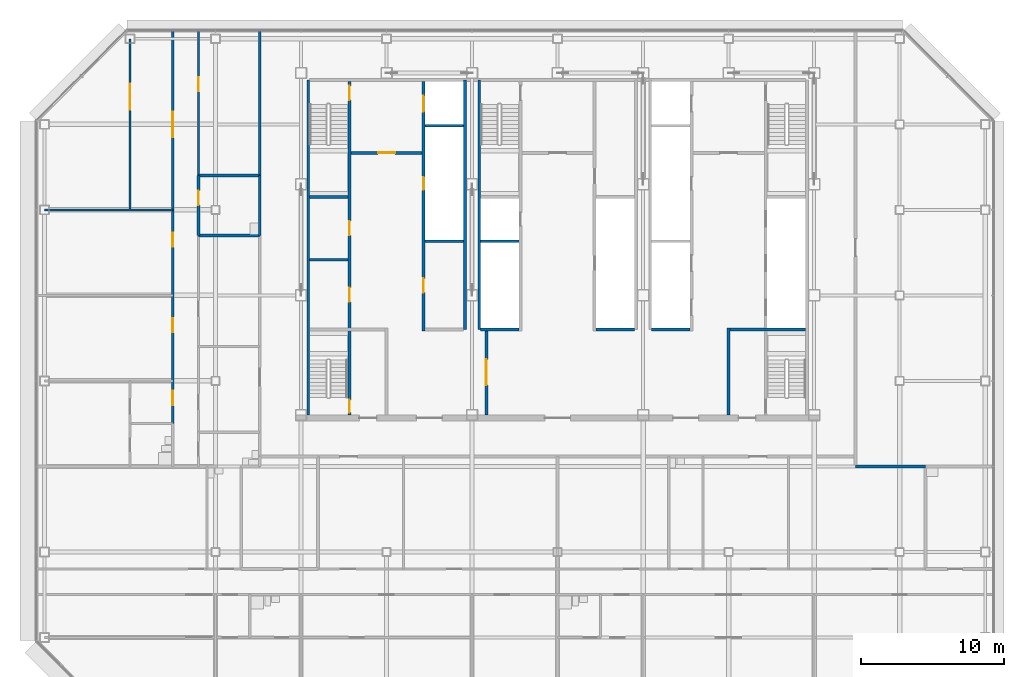
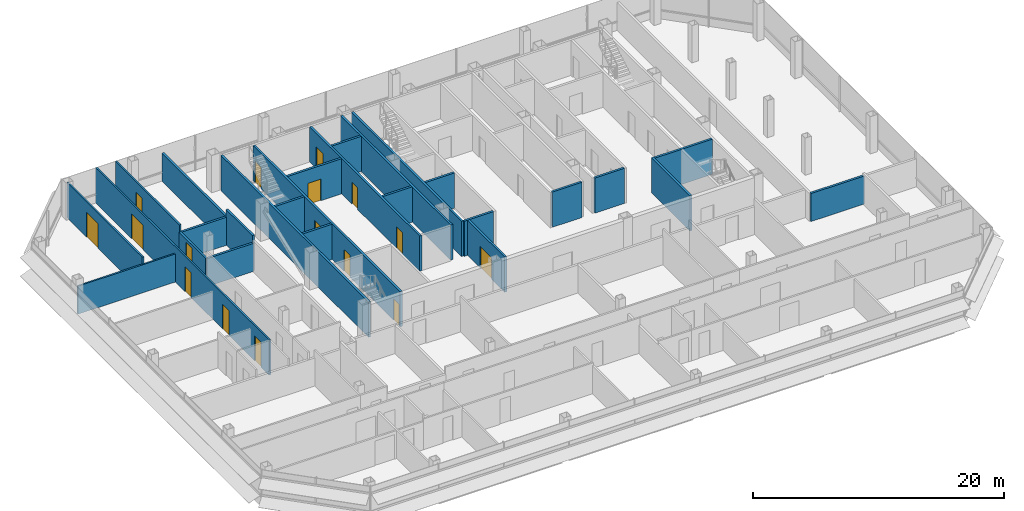
# One storey, part 22 of 26: 27 walls, 16 doors, 16 openings.
"""IFC4 building model written with IfcOpenShell, lengths in metres."""

from ifc_helpers import new_model, si_unit, direction, frame, frame_2d, origin, place, context, subcontext, project, spatial, rectangle, extrude, material, layer, layer_set, type_object, element, fill, save


model = new_model("IFC4")

# Units and contexts
model_context = context("Model", 3, precision=1e-05, world=origin(), true_north=direction((0.0, 1.0)))
body_context = subcontext(model_context, "Body", "Model", "MODEL_VIEW")
ifc_project = project(units=[si_unit("LENGTHUNIT", "METRE"), si_unit("AREAUNIT", "SQUARE_METRE"), si_unit("VOLUMEUNIT", "CUBIC_METRE"), si_unit("PLANEANGLEUNIT", "RADIAN"), si_unit("MASSUNIT", "GRAM", prefix="KILO")], contexts=[model_context])

# Site, building, storey
site_placement = place(None, origin())
site = spatial("IfcSite", under=ifc_project, at=site_placement, CompositionType="ELEMENT")
building_placement = place(site_placement, origin())
building = spatial("IfcBuilding", under=site, at=building_placement, Name="Sorahane Residences", CompositionType="ELEMENT")
storey_placement = place(building_placement, frame((0.0, 0.0, 215.39990234375)))
storey = spatial("IfcBuildingStorey", under=building, at=storey_placement, Name="L50", CompositionType="ELEMENT", Elevation=215.39990234375)

# Walls
ifc_material_1 = material(Name="Concrete C30", Category="concrete")
ifc_layer_1 = layer(ifc_material_1, 0.199951171875)
ifc_layer_set_1 = layer_set([ifc_layer_1], Name="Core face wall 200 EI 180")
wall_type_1 = type_object("IfcWallType", Name="Core face wall 200 EI 180", PredefinedType="SOLIDWALL", material=ifc_layer_set_1)
wall_1_placement = place(storey_placement, frame((6.5, 21.60009765625, 0.0), z_axis=(0.0, 0.0, 1.0), x_axis=(0.0, 1.0, 0.0)))
element("IfcWall", 1, at=wall_1_placement, inside=storey, type_object=wall_type_1, Name="L50 core face wall", PredefinedType="SOLIDWALL", context=body_context, shape_type="SweptSolid", body=[
    extrude(rectangle(XDim=23.5, YDim=0.199951171875, at=frame_2d((11.75, 0.0))), origin(), (0.0, 0.0, 1.0), 3.420166015625),
])
for number, where, z_axis, x_axis, name in (
    (2, (17.5, 27.60009765625, 0.0), (0.0, 0.0, 1.0), (0.0, 1.0, 0.0), "L50 core face wall"),
    (3, (18.5, 27.60009765625, 0.0), (0.0, 0.0, 1.0), (0.0, 1.0, 0.0), "L50 core face wall"),
):
    element("IfcWall", number, at=place(storey_placement, frame(where, z_axis=z_axis, x_axis=x_axis)), inside=storey, type_object=wall_type_1, Name=name, PredefinedType="SOLIDWALL", context=body_context, shape_type="SweptSolid", body=[
        extrude(rectangle(XDim=17.5, YDim=0.199951171875, at=frame_2d((8.75, 0.0))), origin(), (0.0, 0.0, 1.0), 3.420166015625),
    ])
ifc_material_2 = material(Name="Concrete blockwork C20 wall", Category="masonry")
ifc_layer_2 = layer(ifc_material_2, 0.199951171875)
ifc_layer_set_2 = layer_set([ifc_layer_2], Name="Corridor wall 200 EI 120")
wall_type_2 = type_object("IfcWallType", Name="Corridor wall 200 EI 120", PredefinedType="SOLIDWALL", material=ifc_layer_set_2)
wall_2_placement = place(storey_placement, frame((3.10009765625, 38.39990234375, 0.0), z_axis=(0.0, 0.0, 1.0), x_axis=(0.0, 1.0, 0.0)))
element("IfcWall", 4, at=wall_2_placement, inside=storey, type_object=wall_type_2, Name="L50 corridor wall", PredefinedType="SOLIDWALL", context=body_context, shape_type="SweptSolid", body=[
    extrude(rectangle(XDim=10.2001953125, YDim=0.199951171875, at=frame_2d((5.10009765625, 0.0))), origin(), (0.0, 0.0, 1.0), 2.72021484375),
])
wall_3_placement = place(storey_placement, frame((44.89990234375, 18.0, 0.0), z_axis=(0.0, 0.0, 1.0), x_axis=(1.0, 0.0, 0.0)))
element("IfcWall", 5, at=wall_3_placement, inside=storey, type_object=wall_type_2, Name="L50 corridor wall", PredefinedType="SOLIDWALL", context=body_context, shape_type="SweptSolid", body=[
    extrude(rectangle(XDim=4.900146484375, YDim=0.199951171875, at=frame_2d((2.4501953125, 0.0))), origin(), (0.0, 0.0, 1.0), 2.72021484375),
])
ifc_material_3 = material(Name="Concrete C30", Category="concrete")
ifc_layer_3 = layer(ifc_material_3, 0.199951171875)
ifc_layer_set_3 = layer_set([ifc_layer_3], Name="Front room wall 200 EI 120")
wall_type_3 = type_object("IfcWallType", Name="Front room wall 200 EI 120", PredefinedType="PARTITIONING", material=ifc_layer_set_3)
wall_4_placement = place(storey_placement, frame((36.0, 21.60009765625, 0.0), z_axis=(0.0, 0.0, 1.0), x_axis=(0.0, 1.0, 0.0)))
element("IfcWall", 6, at=wall_4_placement, inside=storey, type_object=wall_type_3, Name="L50 front room wall", PredefinedType="PARTITIONING", context=body_context, shape_type="SweptSolid", body=[
    extrude(rectangle(XDim=6.099853515625, YDim=0.199951171875, at=frame_2d((3.0498046875, 0.0))), origin(), (0.0, 0.0, 1.0), 3.420166015625),
])

# Wall, opening, door
wall_5_placement = place(storey_placement, frame((9.5, 40.0, 0.0), z_axis=(0.0, 0.0, 1.0), x_axis=(1.0, 0.0, 0.0)))
wall_5 = element("IfcWall", 7, at=wall_5_placement, inside=storey, type_object=wall_type_3, Name="L50 front room wall", PredefinedType="PARTITIONING", context=body_context, shape_type="SweptSolid", body=[
    extrude(rectangle(XDim=5.0, YDim=0.199951171875, at=frame_2d((2.5, 0.0))), origin(), (0.0, 0.0, 1.0), 3.420166015625),
])
opening_1_placement = place(wall_5_placement, frame((1.89990234375, 0.0, 0.0)))
opening_1 = element("IfcOpeningElement", 8, at=opening_1_placement, cuts=wall_5, Name="Opening L50-C07", PredefinedType="OPENING", context=body_context, shape_type="SweptSolid", body=[
    extrude(rectangle(XDim=1.199951171875, YDim=2.10009765625, at=frame_2d((0.60009765625, 1.050048828125))), frame((0.0, 0.10986328125, 0.0), z_axis=(0.0, -1.0, 0.0), x_axis=(1.0, 0.0, 0.0)), (0.0, 0.0, 1.0), 0.219970703125),
])
ifc_material_4 = material(Name="Steel", Category="steel")
door_type_1 = type_object("IfcDoorType", Name="Front room door 1200x2100 FD120", OperationType="NOTDEFINED", PredefinedType="DOOR", material=ifc_material_4)
door_1_placement = place(opening_1_placement, frame((1.199951171875, 0.0, 0.0), z_axis=(0.0, 0.0, 1.0), x_axis=(-1.0, 0.0, 0.0)))
door_1 = element("IfcDoor", 9, at=door_1_placement, inside=storey, type_object=door_type_1, Name="Front room door Firefighting lobby FF1 front room L50", OperationType="DOUBLE_DOOR_SINGLE_SWING", OverallHeight=2.10009765625, OverallWidth=1.199951171875, PredefinedType="DOOR", context=body_context, shape_type="SweptSolid", body=[
    extrude(rectangle(XDim=1.199951171875, YDim=2.10009765625, at=frame_2d((0.60009765625, 1.050048828125))), frame((0.0, 0.02490234375, 0.0), z_axis=(0.0, -1.0, 0.0), x_axis=(1.0, 0.0, 0.0)), (0.0, 0.0, 1.0), 0.050048828125),
])
fill(opening_1, door_1)

ifc_material_5 = material(Name="Concrete blockwork C20 wall", Category="masonry")
ifc_layer_4 = layer(ifc_material_5, 0.199951171875)
ifc_layer_set_4 = layer_set([ifc_layer_4], Name="Kitchen wall 200 EI 180")
wall_type_4 = type_object("IfcWallType", Name="Kitchen wall 200 EI 180", PredefinedType="SOLIDWALL", material=ifc_layer_set_4)
wall_6_placement = place(storey_placement, frame((-1.199951171875, 34.199951171875, 0.0), z_axis=(0.0, 0.0, 1.0), x_axis=(0.0, 1.0, 0.0)))
wall_6 = element("IfcWall", 10, at=wall_6_placement, inside=storey, type_object=wall_type_4, Name="L50 kitchen wall", PredefinedType="SOLIDWALL", context=body_context, shape_type="SweptSolid", body=[
    extrude(rectangle(XDim=4.199951171875, YDim=0.199951171875, at=frame_2d((2.10009765625, 0.0))), origin(), (0.0, 0.0, 1.0), 2.72021484375),
])
opening_2_placement = place(wall_6_placement, frame((2.139892578125, 0.0, 0.0)))
opening_2 = element("IfcOpeningElement", 11, at=opening_2_placement, cuts=wall_6, Name="Opening L50-29", PredefinedType="OPENING", context=body_context, shape_type="SweptSolid", body=[
    extrude(rectangle(XDim=1.0, YDim=2.39990234375, at=frame_2d((0.5, 1.199951171875))), frame((0.0, 0.10986328125, 0.0), z_axis=(0.0, -1.0, 0.0), x_axis=(1.0, 0.0, 0.0)), (0.0, 0.0, 1.0), 0.219970703125),
])
ifc_material_6 = material(Name="Steel", Category="steel")
door_type_2 = type_object("IfcDoorType", Name="Kitchen door 1000x2400 FD120", OperationType="NOTDEFINED", PredefinedType="DOOR", material=ifc_material_6)
door_2_placement = place(opening_2_placement, frame((1.0, 0.0, 0.0), z_axis=(0.0, 0.0, 1.0), x_axis=(-1.0, 0.0, 0.0)))
door_2 = element("IfcDoor", 12, at=door_2_placement, inside=storey, type_object=door_type_2, Name="Kitchen door L50-29", OperationType="SINGLE_SWING_LEFT", OverallHeight=2.39990234375, OverallWidth=1.0, PredefinedType="DOOR", context=body_context, shape_type="SweptSolid", body=[
    extrude(rectangle(XDim=1.0, YDim=2.39990234375, at=frame_2d((0.5, 1.199951171875))), frame((0.0, 0.02490234375, 0.0), z_axis=(0.0, -1.0, 0.0), x_axis=(1.0, 0.0, 0.0)), (0.0, 0.0, 1.0), 0.050048828125),
])
fill(opening_2, door_2)

# Walls
wall_7_placement = place(storey_placement, frame((3.10009765625, 34.199951171875, 0.0), z_axis=(0.0, 0.0, 1.0), x_axis=(0.0, 1.0, 0.0)))
element("IfcWall", 13, at=wall_7_placement, inside=storey, type_object=wall_type_4, Name="L50 kitchen wall", PredefinedType="SOLIDWALL", context=body_context, shape_type="SweptSolid", body=[
    extrude(rectangle(XDim=4.199951171875, YDim=0.199951171875, at=frame_2d((2.10009765625, 0.0))), origin(), (0.0, 0.0, 1.0), 3.420166015625),
])
for number, where, z_axis, x_axis, name in (
    (14, (-1.199951171875, 34.199951171875, 0.0), (0.0, 0.0, 1.0), (1.0, 0.0, 0.0), "L50 kitchen wall"),
    (15, (-1.199951171875, 38.39990234375, 0.0), (0.0, 0.0, 1.0), (1.0, 0.0, 0.0), "L50 kitchen wall"),
):
    element("IfcWall", number, at=place(storey_placement, frame(where, z_axis=z_axis, x_axis=x_axis)), inside=storey, type_object=wall_type_4, Name=name, PredefinedType="SOLIDWALL", context=body_context, shape_type="SweptSolid", body=[
        extrude(rectangle(XDim=4.300048828125, YDim=0.199951171875, at=frame_2d((2.14990234375, 0.0))), origin(), (0.0, 0.0, 1.0), 2.72021484375),
    ])

# Wall, openings, doors
ifc_material_7 = material(Name="Concrete C30", Category="concrete")
ifc_layer_5 = layer(ifc_material_7, 0.199951171875)
ifc_layer_set_5 = layer_set([ifc_layer_5], Name="Lift shaft wall 200 EI 120")
wall_type_5 = type_object("IfcWallType", Name="Lift shaft wall 200 EI 120", PredefinedType="SOLIDWALL", material=ifc_layer_set_5)
wall_8_placement = place(storey_placement, frame((14.60009765625, 27.5, 0.0), z_axis=(0.0, 0.0, 1.0), x_axis=(0.0, 1.0, 0.0)))
wall_8 = element("IfcWall", 16, at=wall_8_placement, inside=storey, type_object=wall_type_5, Name="L50 lift shaft wall", PredefinedType="SOLIDWALL", context=body_context, shape_type="SweptSolid", body=[
    extrude(rectangle(XDim=17.5, YDim=0.199951171875, at=frame_2d((8.75, 0.0))), origin(), (0.0, 0.0, 1.0), 3.420166015625),
])
opening_3_placement = place(wall_8_placement, frame((15.39990234375, 0.0, 0.0)))
opening_3 = element("IfcOpeningElement", 17, at=opening_3_placement, cuts=wall_8, Name="Opening L50-C16", PredefinedType="OPENING", context=body_context, shape_type="SweptSolid", body=[
    extrude(rectangle(XDim=1.10009765625, YDim=2.10009765625, at=frame_2d((0.550048828125, 1.050048828125))), frame((0.0, 0.10986328125, 0.0), z_axis=(0.0, -1.0, 0.0), x_axis=(1.0, 0.0, 0.0)), (0.0, 0.0, 1.0), 0.219970703125),
])
opening_4_placement = place(wall_8_placement, frame((2.699951171875, 0.0, 0.0)))
opening_4 = element("IfcOpeningElement", 18, at=opening_4_placement, cuts=wall_8, Name="Opening L50-C17", PredefinedType="OPENING", context=body_context, shape_type="SweptSolid", body=[
    extrude(rectangle(XDim=1.0, YDim=2.10009765625, at=frame_2d((0.5, 1.050048828125))), frame((0.0, 0.10986328125, 0.0), z_axis=(0.0, -1.0, 0.0), x_axis=(1.0, 0.0, 0.0)), (0.0, 0.0, 1.0), 0.219970703125),
])
opening_5_placement = place(wall_8_placement, frame((9.89990234375, 0.0, 0.0)))
opening_5 = element("IfcOpeningElement", 19, at=opening_5_placement, cuts=wall_8, Name="Opening L50-C25", PredefinedType="OPENING", context=body_context, shape_type="SweptSolid", body=[
    extrude(rectangle(XDim=0.89990234375, YDim=2.10009765625, at=frame_2d((0.449951171875, 1.050048828125))), frame((0.0, 0.10986328125, 0.0), z_axis=(0.0, -1.0, 0.0), x_axis=(1.0, 0.0, 0.0)), (0.0, 0.0, 1.0), 0.219970703125),
])
ifc_material_8 = material(Name="Aluminium and stainless steel", Category="steel")
door_type_3 = type_object("IfcDoorType", Name="Lift landing door 1100x2100 E 60", OperationType="NOTDEFINED", PredefinedType="DOOR", material=ifc_material_8)
door_3_placement = place(opening_3_placement, origin())
door_3 = element("IfcDoor", 20, at=door_3_placement, inside=storey, type_object=door_type_3, Name="Lift landing door FF1 L50", OperationType="DOUBLE_DOOR_SLIDING", OverallHeight=2.10009765625, OverallWidth=1.10009765625, PredefinedType="DOOR", context=body_context, shape_type="SweptSolid", body=[
    extrude(rectangle(XDim=1.10009765625, YDim=2.10009765625, at=frame_2d((0.550048828125, 1.050048828125))), frame((0.0, 0.02490234375, 0.0), z_axis=(0.0, -1.0, 0.0), x_axis=(1.0, 0.0, 0.0)), (0.0, 0.0, 1.0), 0.050048828125),
])
fill(opening_3, door_3)
ifc_material_9 = material(Name="Steel", Category="steel")
door_type_4 = type_object("IfcDoorType", Name="Riser door 900x2100 FD120", OperationType="NOTDEFINED", PredefinedType="DOOR", material=ifc_material_9)
door_4_placement = place(opening_5_placement, origin())
door_4 = element("IfcDoor", 21, at=door_4_placement, inside=storey, type_object=door_type_4, Name="Riser door R1 L50", OperationType="SINGLE_SWING_LEFT", OverallHeight=2.10009765625, OverallWidth=0.89990234375, PredefinedType="DOOR", context=body_context, shape_type="SweptSolid", body=[
    extrude(rectangle(XDim=0.89990234375, YDim=2.10009765625, at=frame_2d((0.449951171875, 1.050048828125))), frame((0.0, 0.02490234375, 0.0), z_axis=(0.0, -1.0, 0.0), x_axis=(1.0, 0.0, 0.0)), (0.0, 0.0, 1.0), 0.050048828125),
])
fill(opening_5, door_4)
ifc_material_10 = material(Name="Steel", Category="steel")
door_type_5 = type_object("IfcDoorType", Name="Service room door 1000x2100 FD60", OperationType="NOTDEFINED", PredefinedType="DOOR", material=ifc_material_10)
door_5_placement = place(opening_4_placement, frame((1.0, 0.0, 0.0), z_axis=(0.0, 0.0, 1.0), x_axis=(-1.0, 0.0, 0.0)))
door_5 = element("IfcDoor", 22, at=door_5_placement, inside=storey, type_object=door_type_5, Name="Service room door Cinema room L50", OperationType="SINGLE_SWING_RIGHT", OverallHeight=2.10009765625, OverallWidth=1.0, PredefinedType="DOOR", context=body_context, shape_type="SweptSolid", body=[
    extrude(rectangle(XDim=1.0, YDim=2.10009765625, at=frame_2d((0.5, 1.050048828125))), frame((0.0, 0.02490234375, 0.0), z_axis=(0.0, -1.0, 0.0), x_axis=(1.0, 0.0, 0.0)), (0.0, 0.0, 1.0), 0.050048828125),
])
fill(opening_4, door_5)

# Walls
for number, where, z_axis, x_axis, name in (
    (23, (18.60009765625, 27.60009765625, 0.0), (0.0, 0.0, 1.0), (1.0, 0.0, 0.0), "L50 lift shaft wall"),
    (24, (30.60009765625, 27.60009765625, 0.0), (0.0, 0.0, 1.0), (1.0, 0.0, 0.0), "L50 lift shaft wall"),
    (25, (18.60009765625, 33.800048828125, 0.0), (0.0, 0.0, 1.0), (1.0, 0.0, 0.0), "L50 lift shaft wall"),
    (26, (14.699951171875, 41.89990234375, 0.0), (0.0, 0.0, 1.0), (1.0, 0.0, 0.0), "L50 lift shaft wall"),
):
    element("IfcWall", number, at=place(storey_placement, frame(where, z_axis=z_axis, x_axis=x_axis)), inside=storey, type_object=wall_type_5, Name=name, PredefinedType="SOLIDWALL", context=body_context, shape_type="SweptSolid", body=[
        extrude(rectangle(XDim=2.699951171875, YDim=0.199951171875, at=frame_2d((1.35009765625, 0.0))), origin(), (0.0, 0.0, 1.0), 3.420166015625),
    ])

# Wall, opening, door
ifc_material_11 = material(Name="Gypsum board partition on steel studs", Category="steel")
ifc_layer_6 = layer(ifc_material_11, 0.14990234375)
ifc_layer_set_6 = layer_set([ifc_layer_6], Name="Partition 150 EI 90")
wall_type_6 = type_object("IfcWallType", Name="Partition 150 EI 90", PredefinedType="PARTITIONING", material=ifc_layer_set_6)
wall_9_placement = place(storey_placement, frame((-1.199951171875, 38.39990234375, 0.0), z_axis=(0.0, 0.0, 1.0), x_axis=(0.0, 1.0, 0.0)))
wall_9 = element("IfcWall", 27, at=wall_9_placement, inside=storey, type_object=wall_type_6, Name="L50 partition", PredefinedType="PARTITIONING", context=body_context, shape_type="SweptSolid", body=[
    extrude(rectangle(XDim=10.2001953125, YDim=0.14990234375, at=frame_2d((5.10009765625, 0.0))), origin(), (0.0, 0.0, 1.0), 3.420166015625),
])
opening_6_placement = place(wall_9_placement, frame((5.919921875, 0.0, 0.0)))
opening_6 = element("IfcOpeningElement", 28, at=opening_6_placement, cuts=wall_9, Name="Opening L50-30", PredefinedType="OPENING", context=body_context, shape_type="SweptSolid", body=[
    extrude(rectangle(XDim=1.0, YDim=2.39990234375, at=frame_2d((0.5, 1.199951171875))), frame((0.0, 0.0849609375, 0.0), z_axis=(0.0, -1.0, 0.0), x_axis=(1.0, 0.0, 0.0)), (0.0, 0.0, 1.0), 0.169921875),
])
ifc_material_12 = material(Name="Timber veneered fire door", Category="wood")
door_type_6 = type_object("IfcDoorType", Name="Room door 1000x2400 FD30", OperationType="NOTDEFINED", PredefinedType="DOOR", material=ifc_material_12)
door_6_placement = place(opening_6_placement, frame((1.0, 0.0, 0.0), z_axis=(0.0, 0.0, 1.0), x_axis=(-1.0, 0.0, 0.0)))
door_6 = element("IfcDoor", 29, at=door_6_placement, inside=storey, type_object=door_type_6, Name="Room door L50-30", OperationType="SINGLE_SWING_LEFT", OverallHeight=2.39990234375, OverallWidth=1.0, PredefinedType="DOOR", context=body_context, shape_type="SweptSolid", body=[
    extrude(rectangle(XDim=1.0, YDim=2.39990234375, at=frame_2d((0.5, 1.199951171875))), frame((0.0, 0.02490234375, 0.0), z_axis=(0.0, -1.0, 0.0), x_axis=(1.0, 0.0, 0.0)), (0.0, 0.0, 1.0), 0.050048828125),
])
fill(opening_6, door_6)

# Wall, openings, doors
wall_10_placement = place(storey_placement, frame((-3.0, 21.0, 0.0), z_axis=(0.0, 0.0, 1.0), x_axis=(0.0, 1.0, 0.0)))
wall_10 = element("IfcWall", 30, at=wall_10_placement, inside=storey, type_object=wall_type_6, Name="L50 partition", PredefinedType="PARTITIONING", context=body_context, shape_type="SweptSolid", body=[
    extrude(rectangle(XDim=27.60009765625, YDim=0.14990234375, at=frame_2d((13.800048828125, 0.0))), origin(), (0.0, 0.0, 1.0), 3.420166015625),
])
opening_7_placement = place(wall_10_placement, frame((1.300048828125, 0.0, 0.0)))
opening_7 = element("IfcOpeningElement", 31, at=opening_7_placement, cuts=wall_10, Name="Opening L50-31", PredefinedType="OPENING", context=body_context, shape_type="SweptSolid", body=[
    extrude(rectangle(XDim=1.0, YDim=2.39990234375, at=frame_2d((0.5, 1.199951171875))), frame((0.0, 0.0849609375, 0.0), z_axis=(0.0, -1.0, 0.0), x_axis=(1.0, 0.0, 0.0)), (0.0, 0.0, 1.0), 0.169921875),
])
opening_8_placement = place(wall_10_placement, frame((6.39990234375, 0.0, 0.0)))
opening_8 = element("IfcOpeningElement", 32, at=opening_8_placement, cuts=wall_10, Name="Opening L50-32", PredefinedType="OPENING", context=body_context, shape_type="SweptSolid", body=[
    extrude(rectangle(XDim=1.0, YDim=2.39990234375, at=frame_2d((0.5, 1.199951171875))), frame((0.0, 0.0849609375, 0.0), z_axis=(0.0, -1.0, 0.0), x_axis=(1.0, 0.0, 0.0)), (0.0, 0.0, 1.0), 0.169921875),
])
opening_9_placement = place(wall_10_placement, frame((12.39990234375, 0.0, 0.0)))
opening_9 = element("IfcOpeningElement", 33, at=opening_9_placement, cuts=wall_10, Name="Opening L50-33", PredefinedType="OPENING", context=body_context, shape_type="SweptSolid", body=[
    extrude(rectangle(XDim=1.0, YDim=2.39990234375, at=frame_2d((0.5, 1.199951171875))), frame((0.0, 0.0849609375, 0.0), z_axis=(0.0, -1.0, 0.0), x_axis=(1.0, 0.0, 0.0)), (0.0, 0.0, 1.0), 0.169921875),
])
opening_10_placement = place(wall_10_placement, frame((20.10009765625, 0.0, 0.0)))
opening_10 = element("IfcOpeningElement", 34, at=opening_10_placement, cuts=wall_10, Name="Opening L50-34", PredefinedType="OPENING", context=body_context, shape_type="SweptSolid", body=[
    extrude(rectangle(XDim=1.800048828125, YDim=2.39990234375, at=frame_2d((0.89990234375, 1.199951171875))), frame((0.0, 0.0849609375, 0.0), z_axis=(0.0, -1.0, 0.0), x_axis=(1.0, 0.0, 0.0)), (0.0, 0.0, 1.0), 0.169921875),
])
ifc_material_13 = material(Name="Timber veneered fire door", Category="wood")
door_type_7 = type_object("IfcDoorType", Name="Double door 1800x2400 FD30", OperationType="NOTDEFINED", PredefinedType="DOOR", material=ifc_material_13)
door_7_placement = place(opening_10_placement, origin())
door_7 = element("IfcDoor", 35, at=door_7_placement, inside=storey, type_object=door_type_7, Name="Double door L50-34", OperationType="SINGLE_SWING_RIGHT", OverallHeight=2.39990234375, OverallWidth=1.800048828125, PredefinedType="DOOR", context=body_context, shape_type="SweptSolid", body=[
    extrude(rectangle(XDim=1.800048828125, YDim=2.39990234375, at=frame_2d((0.89990234375, 1.199951171875))), frame((0.0, 0.02490234375, 0.0), z_axis=(0.0, -1.0, 0.0), x_axis=(1.0, 0.0, 0.0)), (0.0, 0.0, 1.0), 0.050048828125),
])
fill(opening_10, door_7)
door_8_placement = place(opening_7_placement, origin())
door_8 = element("IfcDoor", 36, at=door_8_placement, inside=storey, type_object=door_type_6, Name="Room door L50-31", OperationType="SINGLE_SWING_RIGHT", OverallHeight=2.39990234375, OverallWidth=1.0, PredefinedType="DOOR", context=body_context, shape_type="SweptSolid", body=[
    extrude(rectangle(XDim=1.0, YDim=2.39990234375, at=frame_2d((0.5, 1.199951171875))), frame((0.0, 0.02490234375, 0.0), z_axis=(0.0, -1.0, 0.0), x_axis=(1.0, 0.0, 0.0)), (0.0, 0.0, 1.0), 0.050048828125),
])
fill(opening_7, door_8)
door_9_placement = place(opening_8_placement, origin())
door_9 = element("IfcDoor", 37, at=door_9_placement, inside=storey, type_object=door_type_6, Name="Room door L50-32", OperationType="SINGLE_SWING_RIGHT", OverallHeight=2.39990234375, OverallWidth=1.0, PredefinedType="DOOR", context=body_context, shape_type="SweptSolid", body=[
    extrude(rectangle(XDim=1.0, YDim=2.39990234375, at=frame_2d((0.5, 1.199951171875))), frame((0.0, 0.02490234375, 0.0), z_axis=(0.0, -1.0, 0.0), x_axis=(1.0, 0.0, 0.0)), (0.0, 0.0, 1.0), 0.050048828125),
])
fill(opening_8, door_9)
door_10_placement = place(opening_9_placement, origin())
door_10 = element("IfcDoor", 38, at=door_10_placement, inside=storey, type_object=door_type_6, Name="Room door L50-33", OperationType="SINGLE_SWING_LEFT", OverallHeight=2.39990234375, OverallWidth=1.0, PredefinedType="DOOR", context=body_context, shape_type="SweptSolid", body=[
    extrude(rectangle(XDim=1.0, YDim=2.39990234375, at=frame_2d((0.5, 1.199951171875))), frame((0.0, 0.02490234375, 0.0), z_axis=(0.0, -1.0, 0.0), x_axis=(1.0, 0.0, 0.0)), (0.0, 0.0, 1.0), 0.050048828125),
])
fill(opening_9, door_10)

# Wall, opening, door
wall_11_placement = place(storey_placement, frame((-6.0, 36.0, 0.0), z_axis=(0.0, 0.0, 1.0), x_axis=(0.0, 1.0, 0.0)))
wall_11 = element("IfcWall", 39, at=wall_11_placement, inside=storey, type_object=wall_type_6, Name="L50 partition", PredefinedType="PARTITIONING", context=body_context, shape_type="SweptSolid", body=[
    extrude(rectangle(XDim=12.0, YDim=0.14990234375, at=frame_2d((6.0, 0.0))), origin(), (0.0, 0.0, 1.0), 3.420166015625),
])
opening_11_placement = place(wall_11_placement, frame((7.0400390625, 0.0, 0.0)))
opening_11 = element("IfcOpeningElement", 40, at=opening_11_placement, cuts=wall_11, Name="Opening L50-37", PredefinedType="OPENING", context=body_context, shape_type="SweptSolid", body=[
    extrude(rectangle(XDim=1.800048828125, YDim=2.39990234375, at=frame_2d((0.89990234375, 1.199951171875))), frame((0.0, 0.0849609375, 0.0), z_axis=(0.0, -1.0, 0.0), x_axis=(1.0, 0.0, 0.0)), (0.0, 0.0, 1.0), 0.169921875),
])
door_11_placement = place(opening_11_placement, origin())
door_11 = element("IfcDoor", 41, at=door_11_placement, inside=storey, type_object=door_type_7, Name="Double door L50-37", OperationType="SINGLE_SWING_RIGHT", OverallHeight=2.39990234375, OverallWidth=1.800048828125, PredefinedType="DOOR", context=body_context, shape_type="SweptSolid", body=[
    extrude(rectangle(XDim=1.800048828125, YDim=2.39990234375, at=frame_2d((0.89990234375, 1.199951171875))), frame((0.0, 0.02490234375, 0.0), z_axis=(0.0, -1.0, 0.0), x_axis=(1.0, 0.0, 0.0)), (0.0, 0.0, 1.0), 0.050048828125),
])
fill(opening_11, door_11)

# Walls
wall_12_placement = place(storey_placement, frame((-12.0, 36.0, 0.0), z_axis=(0.0, 0.0, 1.0), x_axis=(1.0, 0.0, 0.0)))
element("IfcWall", 42, at=wall_12_placement, inside=storey, type_object=wall_type_6, Name="L50 partition", PredefinedType="PARTITIONING", context=body_context, shape_type="SweptSolid", body=[
    extrude(rectangle(XDim=9.0, YDim=0.14990234375, at=frame_2d((4.5, 0.0))), origin(), (0.0, 0.0, 1.0), 2.72021484375),
])
ifc_material_14 = material(Name="Concrete C30", Category="concrete")
ifc_layer_7 = layer(ifc_material_14, 0.199951171875)
ifc_layer_set_7 = layer_set([ifc_layer_7], Name="Riser shaft wall 200 EI 120")
wall_type_7 = type_object("IfcWallType", Name="Riser shaft wall 200 EI 120", PredefinedType="SOLIDWALL", material=ifc_layer_set_7)
for number, where, z_axis, x_axis, name in (
    (43, (26.699951171875, 27.60009765625, 0.0), (0.0, 0.0, 1.0), (1.0, 0.0, 0.0), "L50 riser wall"),
    (44, (14.699951171875, 33.800048828125, 0.0), (0.0, 0.0, 1.0), (1.0, 0.0, 0.0), "L50 riser wall"),
):
    element("IfcWall", number, at=place(storey_placement, frame(where, z_axis=z_axis, x_axis=x_axis)), inside=storey, type_object=wall_type_7, Name=name, PredefinedType="SOLIDWALL", context=body_context, shape_type="SweptSolid", body=[
        extrude(rectangle(XDim=2.699951171875, YDim=0.199951171875, at=frame_2d((1.35009765625, 0.0))), origin(), (0.0, 0.0, 1.0), 3.420166015625),
    ])

# Wall, opening, door
ifc_material_15 = material(Name="Concrete C30", Category="concrete")
ifc_layer_8 = layer(ifc_material_15, 0.199951171875)
ifc_layer_set_8 = layer_set([ifc_layer_8], Name="Service room partition 200 EI 60")
wall_type_8 = type_object("IfcWallType", Name="Service room partition 200 EI 60", PredefinedType="PARTITIONING", material=ifc_layer_set_8)
wall_13_placement = place(storey_placement, frame((19.0, 21.60009765625, 0.0), z_axis=(0.0, 0.0, 1.0), x_axis=(0.0, 1.0, 0.0)))
wall_13 = element("IfcWall", 45, at=wall_13_placement, inside=storey, type_object=wall_type_8, Name="L50 service room wall", PredefinedType="PARTITIONING", context=body_context, shape_type="SweptSolid", body=[
    extrude(rectangle(XDim=6.0, YDim=0.199951171875, at=frame_2d((3.0, 0.0))), origin(), (0.0, 0.0, 1.0), 3.420166015625),
])
opening_12_placement = place(wall_13_placement, frame((2.10009765625, 0.0, 0.0)))
opening_12 = element("IfcOpeningElement", 46, at=opening_12_placement, cuts=wall_13, Name="Opening L50-C02", PredefinedType="OPENING", context=body_context, shape_type="SweptSolid", body=[
    extrude(rectangle(XDim=1.800048828125, YDim=2.10009765625, at=frame_2d((0.89990234375, 1.050048828125))), frame((0.0, 0.10986328125, 0.0), z_axis=(0.0, -1.0, 0.0), x_axis=(1.0, 0.0, 0.0)), (0.0, 0.0, 1.0), 0.219970703125),
])
ifc_material_16 = material(Name="Steel", Category="steel")
door_type_8 = type_object("IfcDoorType", Name="Waiting hall door 1800x2100 FD60", OperationType="NOTDEFINED", PredefinedType="DOOR", material=ifc_material_16)
door_12_placement = place(opening_12_placement, origin())
door_12 = element("IfcDoor", 47, at=door_12_placement, inside=storey, type_object=door_type_8, Name="Waiting hall door Residents' waiting hall west L50", OperationType="SINGLE_SWING_LEFT", OverallHeight=2.10009765625, OverallWidth=1.800048828125, PredefinedType="DOOR", context=body_context, shape_type="SweptSolid", body=[
    extrude(rectangle(XDim=1.800048828125, YDim=2.10009765625, at=frame_2d((0.89990234375, 1.050048828125))), frame((0.0, 0.02490234375, 0.0), z_axis=(0.0, -1.0, 0.0), x_axis=(1.0, 0.0, 0.0)), (0.0, 0.0, 1.0), 0.050048828125),
])
fill(opening_12, door_12)

# Wall
wall_14_placement = place(storey_placement, frame((6.60009765625, 32.5, 0.0), z_axis=(0.0, 0.0, 1.0), x_axis=(1.0, 0.0, 0.0)))
element("IfcWall", 48, at=wall_14_placement, inside=storey, type_object=wall_type_8, Name="L50 service room wall", PredefinedType="PARTITIONING", context=body_context, shape_type="SweptSolid", body=[
    extrude(rectangle(XDim=2.699951171875, YDim=0.199951171875, at=frame_2d((1.35009765625, 0.0))), origin(), (0.0, 0.0, 1.0), 3.420166015625),
])

# Wall, openings, doors
ifc_material_17 = material(Name="Concrete C30", Category="concrete")
ifc_layer_9 = layer(ifc_material_17, 0.199951171875)
ifc_layer_set_9 = layer_set([ifc_layer_9], Name="Stair enclosure wall 200 EI 120")
wall_type_9 = type_object("IfcWallType", Name="Stair enclosure wall 200 EI 120", PredefinedType="SOLIDWALL", material=ifc_layer_set_9)
wall_15_placement = place(storey_placement, frame((9.39990234375, 21.60009765625, 0.0), z_axis=(0.0, 0.0, 1.0), x_axis=(0.0, 1.0, 0.0)))
wall_15 = element("IfcWall", 49, at=wall_15_placement, inside=storey, type_object=wall_type_9, Name="L50 stair enclosure wall", PredefinedType="SOLIDWALL", context=body_context, shape_type="SweptSolid", body=[
    extrude(rectangle(XDim=23.39990234375, YDim=0.199951171875, at=frame_2d((11.699951171875, 0.0))), origin(), (0.0, 0.0, 1.0), 3.420166015625),
])
opening_13_placement = place(wall_15_placement, frame((7.949951171875, 0.0, 0.0)))
opening_13 = element("IfcOpeningElement", 50, at=opening_13_placement, cuts=wall_15, Name="Opening L50-C18", PredefinedType="OPENING", context=body_context, shape_type="SweptSolid", body=[
    extrude(rectangle(XDim=1.0, YDim=2.10009765625, at=frame_2d((0.5, 1.050048828125))), frame((0.0, 0.10986328125, 0.0), z_axis=(0.0, -1.0, 0.0), x_axis=(1.0, 0.0, 0.0)), (0.0, 0.0, 1.0), 0.219970703125),
])
opening_14_placement = place(wall_15_placement, frame((12.60009765625, 0.0, 0.0)))
opening_14 = element("IfcOpeningElement", 51, at=opening_14_placement, cuts=wall_15, Name="Opening L50-C19", PredefinedType="OPENING", context=body_context, shape_type="SweptSolid", body=[
    extrude(rectangle(XDim=1.0, YDim=2.10009765625, at=frame_2d((0.5, 1.050048828125))), frame((0.0, 0.10986328125, 0.0), z_axis=(0.0, -1.0, 0.0), x_axis=(1.0, 0.0, 0.0)), (0.0, 0.0, 1.0), 0.219970703125),
])
opening_15_placement = place(wall_15_placement, frame((22.10009765625, 0.0, 0.0)))
opening_15 = element("IfcOpeningElement", 52, at=opening_15_placement, cuts=wall_15, Name="Opening L50-C20", PredefinedType="OPENING", context=body_context, shape_type="SweptSolid", body=[
    extrude(rectangle(XDim=1.0, YDim=2.10009765625, at=frame_2d((0.5, 1.050048828125))), frame((0.0, 0.10986328125, 0.0), z_axis=(0.0, -1.0, 0.0), x_axis=(1.0, 0.0, 0.0)), (0.0, 0.0, 1.0), 0.219970703125),
])
opening_16_placement = place(wall_15_placement, frame((0.175048828125, 0.0, 0.0)))
opening_16 = element("IfcOpeningElement", 53, at=opening_16_placement, cuts=wall_15, Name="Opening L50-C23", PredefinedType="OPENING", context=body_context, shape_type="SweptSolid", body=[
    extrude(rectangle(XDim=0.89990234375, YDim=2.10009765625, at=frame_2d((0.449951171875, 1.050048828125))), frame((0.0, 0.10986328125, 0.0), z_axis=(0.0, -1.0, 0.0), x_axis=(1.0, 0.0, 0.0)), (0.0, 0.0, 1.0), 0.219970703125),
])
door_13_placement = place(opening_13_placement, origin())
door_13 = element("IfcDoor", 54, at=door_13_placement, inside=storey, type_object=door_type_5, Name="Service room door Cinema room L50", OperationType="SINGLE_SWING_LEFT", OverallHeight=2.10009765625, OverallWidth=1.0, PredefinedType="DOOR", context=body_context, shape_type="SweptSolid", body=[
    extrude(rectangle(XDim=1.0, YDim=2.10009765625, at=frame_2d((0.5, 1.050048828125))), frame((0.0, 0.02490234375, 0.0), z_axis=(0.0, -1.0, 0.0), x_axis=(1.0, 0.0, 0.0)), (0.0, 0.0, 1.0), 0.050048828125),
])
fill(opening_13, door_13)
door_14_placement = place(opening_14_placement, origin())
door_14 = element("IfcDoor", 55, at=door_14_placement, inside=storey, type_object=door_type_5, Name="Service room door Archive L50", OperationType="SINGLE_SWING_RIGHT", OverallHeight=2.10009765625, OverallWidth=1.0, PredefinedType="DOOR", context=body_context, shape_type="SweptSolid", body=[
    extrude(rectangle(XDim=1.0, YDim=2.10009765625, at=frame_2d((0.5, 1.050048828125))), frame((0.0, 0.02490234375, 0.0), z_axis=(0.0, -1.0, 0.0), x_axis=(1.0, 0.0, 0.0)), (0.0, 0.0, 1.0), 0.050048828125),
])
fill(opening_14, door_14)
ifc_material_18 = material(Name="Steel", Category="steel")
door_type_9 = type_object("IfcDoorType", Name="Stair door 1000x2100 FD120", OperationType="NOTDEFINED", PredefinedType="DOOR", material=ifc_material_18)
door_15_placement = place(opening_15_placement, origin())
door_15 = element("IfcDoor", 56, at=door_15_placement, inside=storey, type_object=door_type_9, Name="Stair door S1 L50", OperationType="SINGLE_SWING_LEFT", OverallHeight=2.10009765625, OverallWidth=1.0, PredefinedType="DOOR", context=body_context, shape_type="SweptSolid", body=[
    extrude(rectangle(XDim=1.0, YDim=2.10009765625, at=frame_2d((0.5, 1.050048828125))), frame((0.0, 0.02490234375, 0.0), z_axis=(0.0, -1.0, 0.0), x_axis=(1.0, 0.0, 0.0)), (0.0, 0.0, 1.0), 0.050048828125),
])
fill(opening_15, door_15)
ifc_material_19 = material(Name="Steel", Category="steel")
door_type_10 = type_object("IfcDoorType", Name="Stair door 900x2100 FD120", OperationType="NOTDEFINED", PredefinedType="DOOR", material=ifc_material_19)
door_16_placement = place(opening_16_placement, origin())
door_16 = element("IfcDoor", 57, at=door_16_placement, inside=storey, type_object=door_type_10, Name="Stair door S4 L50", OperationType="SINGLE_SWING_LEFT", OverallHeight=2.10009765625, OverallWidth=0.89990234375, PredefinedType="DOOR", context=body_context, shape_type="SweptSolid", body=[
    extrude(rectangle(XDim=0.89990234375, YDim=2.10009765625, at=frame_2d((0.449951171875, 1.050048828125))), frame((0.0, 0.02490234375, 0.0), z_axis=(0.0, -1.0, 0.0), x_axis=(1.0, 0.0, 0.0)), (0.0, 0.0, 1.0), 0.050048828125),
])
fill(opening_16, door_16)

# Walls
wall_16_placement = place(storey_placement, frame((36.10009765625, 27.60009765625, 0.0), z_axis=(0.0, 0.0, 1.0), x_axis=(1.0, 0.0, 0.0)))
element("IfcWall", 58, at=wall_16_placement, inside=storey, type_object=wall_type_9, Name="L50 stair enclosure wall", PredefinedType="SOLIDWALL", context=body_context, shape_type="SweptSolid", body=[
    extrude(rectangle(XDim=5.2998046875, YDim=0.199951171875, at=frame_2d((2.64990234375, 0.0))), origin(), (0.0, 0.0, 1.0), 3.420166015625),
])
wall_17_placement = place(storey_placement, frame((6.60009765625, 36.89990234375, 0.0), z_axis=(0.0, 0.0, 1.0), x_axis=(1.0, 0.0, 0.0)))
element("IfcWall", 59, at=wall_17_placement, inside=storey, type_object=wall_type_9, Name="L50 stair enclosure wall", PredefinedType="SOLIDWALL", context=body_context, shape_type="SweptSolid", body=[
    extrude(rectangle(XDim=2.699951171875, YDim=0.199951171875, at=frame_2d((1.35009765625, 0.0))), origin(), (0.0, 0.0, 1.0), 3.420166015625),
])

save(model, "model.ifc")
